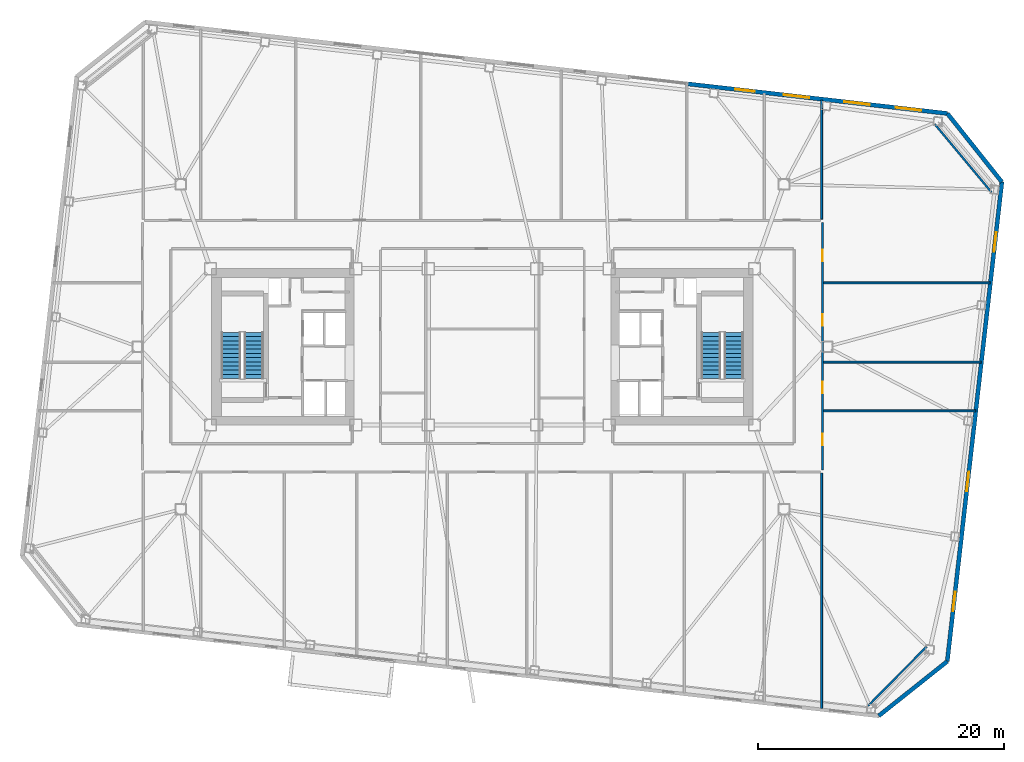
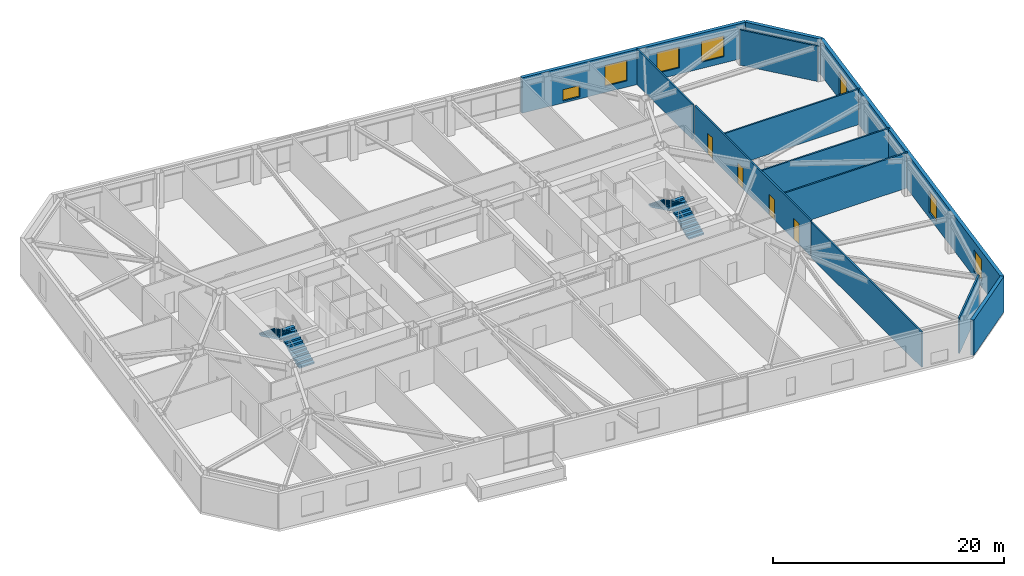
# One storey, part 15 of 20: 12 walls, 7 windows, 4 doors, 4 stair flights, 11 openings, 2 elements without a shape of their own.
"""IFC4 building model written with IfcOpenShell, lengths in metres."""

from ifc_helpers import new_model, si_unit, direction, frame, frame_2d, origin, place, context, subcontext, project, spatial, polyline, rectangle, outline, extrude, material, layer, layer_set, type_object, element, fill, aggregate, save


model = new_model("IFC4")

# Units and contexts
model_context = context("Model", 3, precision=1e-05, world=origin(), true_north=direction((0.0, 1.0)))
body_context = subcontext(model_context, "Body", "Model", "MODEL_VIEW")
ifc_project = project(units=[si_unit("LENGTHUNIT", "METRE"), si_unit("AREAUNIT", "SQUARE_METRE"), si_unit("VOLUMEUNIT", "CUBIC_METRE"), si_unit("PLANEANGLEUNIT", "RADIAN"), si_unit("MASSUNIT", "GRAM", prefix="KILO")], contexts=[model_context])

# Site, building, storey
site_placement = place(None, origin())
site = spatial("IfcSite", under=ifc_project, at=site_placement, CompositionType="ELEMENT")
building_placement = place(site_placement, origin())
building = spatial("IfcBuilding", under=site, at=building_placement, Name="Tavrogorsk Clinical Tower", CompositionType="ELEMENT")
storey_placement = place(building_placement, frame((0.0, 0.0, 105.39990234375)))
storey = spatial("IfcBuildingStorey", under=building, at=storey_placement, Name="L23", CompositionType="ELEMENT", Elevation=105.39990234375)

# Walls
ifc_material_1 = material(Name="Lightweight concrete blockwork B15", Category="masonry")
ifc_layer_1 = layer(ifc_material_1, 0.159912109375)
ifc_layer_set_1 = layer_set([ifc_layer_1], Name="Lightweight concrete blockwork B15")
wall_type_1 = type_object("IfcWallType", Name="PartitionWall_160", PredefinedType="PARTITIONING", material=ifc_layer_set_1)
wall_1_placement = place(storey_placement, frame((31.34130859375, -29.162109375, 0.0), z_axis=(0.0, 0.0, 1.0), x_axis=(0.702905898933, 0.711282853192, 0.0)))
element("IfcWall", 1, at=wall_1_placement, inside=storey, type_object=wall_type_1, Name="L23 Corner Exoskeleton Brace Furring Wall 1", PredefinedType="PARTITIONING", context=body_context, shape_type="SweptSolid", body=[
    extrude(rectangle(XDim=6.761474609375, YDim=0.159912109375, at=frame_2d((3.380859375, 0.0))), origin(), (0.0, 0.0, 1.0), 3.739990234375),
])
wall_2_placement = place(storey_placement, frame((41.36083984375, 12.555908203125, 0.0), z_axis=(0.0, 0.0, 1.0), x_axis=(-0.640217638562, 0.768193579298, 0.0)))
element("IfcWall", 2, at=wall_2_placement, inside=storey, type_object=wall_type_1, Name="L23 Corner Exoskeleton Brace Furring Wall 2", PredefinedType="PARTITIONING", context=body_context, shape_type="SweptSolid", body=[
    extrude(rectangle(XDim=7.224365234375, YDim=0.159912109375, at=frame_2d((3.6123046875, 0.0))), origin(), (0.0, 0.0, 1.0), 3.739990234375),
])

# Wall, openings, doors
wall_3_placement = place(storey_placement, frame((27.6298828125, 10.114990234375, 0.0), z_axis=(0.0, 0.0, 1.0), x_axis=(0.0, -1.0, 0.0)))
wall_3 = element("IfcWall", 3, at=wall_3_placement, inside=storey, type_object=wall_type_1, Name="L23 Corridor Partition 03", PredefinedType="PARTITIONING", context=body_context, shape_type="SweptSolid", body=[
    extrude(rectangle(XDim=20.1298828125, YDim=0.159912109375, at=frame_2d((10.06494140625, 0.0))), origin(), (0.0, 0.0, 1.0), 3.739990234375),
])
opening_1_placement = place(wall_3_placement, frame((17.180908203125, 0.0, 0.0)))
opening_1 = element("IfcOpeningElement", 4, at=opening_1_placement, cuts=wall_3, Name="Opening ID-02", PredefinedType="OPENING", context=body_context, shape_type="SweptSolid", body=[
    extrude(rectangle(XDim=0.949951171875, YDim=2.199951171875, at=frame_2d((0.47509765625, 1.10009765625))), frame((0.0, 0.08984375, 0.0), z_axis=(0.0, -1.0, 0.0), x_axis=(1.0, 0.0, 0.0)), (0.0, 0.0, 1.0), 0.179931640625),
])
opening_2_placement = place(wall_3_placement, frame((12.949951171875, 0.0, 0.0)))
opening_2 = element("IfcOpeningElement", 5, at=opening_2_placement, cuts=wall_3, Name="Opening ID-02", PredefinedType="OPENING", context=body_context, shape_type="SweptSolid", body=[
    extrude(rectangle(XDim=0.949951171875, YDim=2.199951171875, at=frame_2d((0.47509765625, 1.10009765625))), frame((0.0, 0.08984375, 0.0), z_axis=(0.0, -1.0, 0.0), x_axis=(1.0, 0.0, 0.0)), (0.0, 0.0, 1.0), 0.179931640625),
])
opening_3_placement = place(wall_3_placement, frame((7.449951171875, 0.0, 0.0)))
opening_3 = element("IfcOpeningElement", 6, at=opening_3_placement, cuts=wall_3, Name="Opening ID-02", PredefinedType="OPENING", context=body_context, shape_type="SweptSolid", body=[
    extrude(rectangle(XDim=0.949951171875, YDim=2.199951171875, at=frame_2d((0.47509765625, 1.10009765625))), frame((0.0, 0.08984375, 0.0), z_axis=(0.0, -1.0, 0.0), x_axis=(1.0, 0.0, 0.0)), (0.0, 0.0, 1.0), 0.179931640625),
])
opening_4_placement = place(wall_3_placement, frame((2.218994140625, 0.0, 0.0)))
opening_4 = element("IfcOpeningElement", 7, at=opening_4_placement, cuts=wall_3, Name="Opening ID-02", PredefinedType="OPENING", context=body_context, shape_type="SweptSolid", body=[
    extrude(rectangle(XDim=0.949951171875, YDim=2.199951171875, at=frame_2d((0.47509765625, 1.10009765625))), frame((0.0, 0.08984375, 0.0), z_axis=(0.0, -1.0, 0.0), x_axis=(1.0, 0.0, 0.0)), (0.0, 0.0, 1.0), 0.179931640625),
])
ifc_material_2 = material(Name="Laminated timber leaf on aluminium frame", Category="wood")
door_type = type_object("IfcDoorType", Name="InteriorDoor_ID02_950", OperationType="NOTDEFINED", PredefinedType="DOOR", material=ifc_material_2)
door_1_placement = place(opening_1_placement, origin())
door_1 = element("IfcDoor", 8, at=door_1_placement, inside=storey, type_object=door_type, Name="L23 E Senior Clinician Suite 1 Door", OperationType="SINGLE_SWING_LEFT", OverallHeight=2.199951171875, OverallWidth=0.949951171875, PredefinedType="DOOR", context=body_context, shape_type="SweptSolid", body=[
    extrude(rectangle(XDim=0.949951171875, YDim=2.199951171875, at=frame_2d((0.47509765625, 1.10009765625))), frame((0.0, 0.02490234375, 0.0), z_axis=(0.0, -1.0, 0.0), x_axis=(1.0, 0.0, 0.0)), (0.0, 0.0, 1.0), 0.050048828125),
])
fill(opening_1, door_1)
door_2_placement = place(opening_2_placement, origin())
door_2 = element("IfcDoor", 9, at=door_2_placement, inside=storey, type_object=door_type, Name="L23 E Multidisciplinary Seminar Suite 2 Door", OperationType="SINGLE_SWING_RIGHT", OverallHeight=2.199951171875, OverallWidth=0.949951171875, PredefinedType="DOOR", context=body_context, shape_type="SweptSolid", body=[
    extrude(rectangle(XDim=0.949951171875, YDim=2.199951171875, at=frame_2d((0.47509765625, 1.10009765625))), frame((0.0, 0.02490234375, 0.0), z_axis=(0.0, -1.0, 0.0), x_axis=(1.0, 0.0, 0.0)), (0.0, 0.0, 1.0), 0.050048828125),
])
fill(opening_2, door_2)
door_3_placement = place(opening_3_placement, origin())
door_3 = element("IfcDoor", 10, at=door_3_placement, inside=storey, type_object=door_type, Name="L23 E Specialist Consultation Room 3 Door", OperationType="SINGLE_SWING_LEFT", OverallHeight=2.199951171875, OverallWidth=0.949951171875, PredefinedType="DOOR", context=body_context, shape_type="SweptSolid", body=[
    extrude(rectangle(XDim=0.949951171875, YDim=2.199951171875, at=frame_2d((0.47509765625, 1.10009765625))), frame((0.0, 0.02490234375, 0.0), z_axis=(0.0, -1.0, 0.0), x_axis=(1.0, 0.0, 0.0)), (0.0, 0.0, 1.0), 0.050048828125),
])
fill(opening_3, door_3)
door_4_placement = place(opening_4_placement, origin())
door_4 = element("IfcDoor", 11, at=door_4_placement, inside=storey, type_object=door_type, Name="L23 E Clinical Fellows' Study 4 Door", OperationType="SINGLE_SWING_RIGHT", OverallHeight=2.199951171875, OverallWidth=0.949951171875, PredefinedType="DOOR", context=body_context, shape_type="SweptSolid", body=[
    extrude(rectangle(XDim=0.949951171875, YDim=2.199951171875, at=frame_2d((0.47509765625, 1.10009765625))), frame((0.0, 0.02490234375, 0.0), z_axis=(0.0, -1.0, 0.0), x_axis=(1.0, 0.0, 0.0)), (0.0, 0.0, 1.0), 0.050048828125),
])
fill(opening_4, door_4)

# Walls
wall_4_placement = place(storey_placement, frame((27.550048828125, 10.364990234375, 0.0), z_axis=(0.0, 0.0, 1.0), x_axis=(0.0, 1.0, 0.0)))
element("IfcWall", 12, at=wall_4_placement, inside=storey, type_object=wall_type_1, Name="L23 NE Wing Closure Partition", PredefinedType="PARTITIONING", context=body_context, shape_type="SweptSolid", body=[
    extrude(rectangle(XDim=9.6884765625, YDim=0.159912109375, at=frame_2d((4.84423828125, 0.0))), origin(), (0.0, 0.0, 1.0), 3.739990234375),
])
wall_5_placement = place(storey_placement, frame((27.550048828125, -29.384521484375, 0.0), z_axis=(0.0, 0.0, 1.0), x_axis=(0.0, 1.0, 0.0)))
element("IfcWall", 13, at=wall_5_placement, inside=storey, type_object=wall_type_1, Name="L23 SE Wing Closure Partition", PredefinedType="PARTITIONING", context=body_context, shape_type="SweptSolid", body=[
    extrude(rectangle(XDim=19.11962890625, YDim=0.159912109375, at=frame_2d((9.559814453125, 0.0))), origin(), (0.0, 0.0, 1.0), 3.739990234375),
])
wall_6_placement = place(storey_placement, frame((27.715087890625, -5.199951171875, 0.0), z_axis=(0.0, 0.0, 1.0), x_axis=(1.0, 0.0, 0.0)))
element("IfcWall", 14, at=wall_6_placement, inside=storey, type_object=wall_type_1, Name="L23 E Wing Divider 1", PredefinedType="PARTITIONING", context=body_context, shape_type="SweptSolid", body=[
    extrude(rectangle(XDim=12.35205078125, YDim=0.159912109375, at=frame_2d((6.176025390625, 0.0))), origin(), (0.0, 0.0, 1.0), 3.739990234375),
])
wall_7_placement = place(storey_placement, frame((27.715087890625, -1.25, 0.0), z_axis=(0.0, 0.0, 1.0), x_axis=(1.0, 0.0, 0.0)))
element("IfcWall", 15, at=wall_7_placement, inside=storey, type_object=wall_type_1, Name="L23 E Wing Divider 2", PredefinedType="PARTITIONING", context=body_context, shape_type="SweptSolid", body=[
    extrude(rectangle(XDim=12.80224609375, YDim=0.159912109375, at=frame_2d((6.401123046875, 0.0))), origin(), (0.0, 0.0, 1.0), 3.739990234375),
])
wall_8_placement = place(storey_placement, frame((27.715087890625, 5.199951171875, 0.0), z_axis=(0.0, 0.0, 1.0), x_axis=(1.0, 0.0, 0.0)))
element("IfcWall", 16, at=wall_8_placement, inside=storey, type_object=wall_type_1, Name="L23 E Wing Divider 3", PredefinedType="PARTITIONING", context=body_context, shape_type="SweptSolid", body=[
    extrude(rectangle(XDim=13.537109375, YDim=0.159912109375, at=frame_2d((6.7685546875, 0.0))), origin(), (0.0, 0.0, 1.0), 3.739990234375),
])

# Wall, openings, windows
ifc_material_3 = material(Name="Precast concrete B45 with limestone cladding", Category="masonry")
ifc_layer_2 = layer(ifc_material_3, 0.340087890625)
ifc_layer_set_2 = layer_set([ifc_layer_2], Name="Precast concrete B45 with limestone cladding")
wall_type_2 = type_object("IfcWallType", Name="PrecastLimestoneWall_340", PredefinedType="STANDARD", material=ifc_layer_set_2)
wall_9_placement = place(storey_placement, frame((37.77734375, 18.95849609375, 0.0), z_axis=(0.0, 0.0, 1.0), x_axis=(-0.993571362037, 0.113207546299, 0.0)))
wall_9 = element("IfcWall", 17, at=wall_9_placement, inside=storey, type_object=wall_type_2, Name="L23 N Limestone Facade Wall 1", PredefinedType="STANDARD", context=body_context, shape_type="SweptSolid", body=[
    extrude(rectangle(XDim=21.222900390625, YDim=0.340087890625, at=frame_2d((10.611328125, 0.0))), origin(), (0.0, 0.0, 1.0), 3.739990234375),
])
opening_5_placement = place(wall_9_placement, frame((15.75634765625, 0.0, 0.219970703125)))
opening_5 = element("IfcOpeningElement", 18, at=opening_5_placement, cuts=wall_9, Name="Opening WN-09", PredefinedType="OPENING", context=body_context, shape_type="SweptSolid", body=[
    extrude(rectangle(XDim=1.60009765625, YDim=1.199951171875, at=frame_2d((0.800048828125, 0.60009765625))), frame((0.0, 0.179931640625, 0.0), z_axis=(0.0, -1.0, 0.0), x_axis=(1.0, 0.0, 0.0)), (0.0, 0.0, 1.0), 0.360107421875),
])
opening_6_placement = place(wall_9_placement, frame((11.284912109375, 0.0, 0.669921875)))
opening_6 = element("IfcOpeningElement", 19, at=opening_6_placement, cuts=wall_9, Name="Opening WN-03", PredefinedType="OPENING", context=body_context, shape_type="SweptSolid", body=[
    extrude(rectangle(XDim=2.10009765625, YDim=2.199951171875, at=frame_2d((1.050048828125, 1.10009765625))), frame((0.0, 0.179931640625, 0.0), z_axis=(0.0, -1.0, 0.0), x_axis=(1.0, 0.0, 0.0)), (0.0, 0.0, 1.0), 0.360107421875),
])
opening_7_placement = place(wall_9_placement, frame((6.335693359375, 0.0, 0.669921875)))
opening_7 = element("IfcOpeningElement", 20, at=opening_7_placement, cuts=wall_9, Name="Opening WN-03", PredefinedType="OPENING", context=body_context, shape_type="SweptSolid", body=[
    extrude(rectangle(XDim=2.10009765625, YDim=2.199951171875, at=frame_2d((1.050048828125, 1.10009765625))), frame((0.0, 0.179931640625, 0.0), z_axis=(0.0, -1.0, 0.0), x_axis=(1.0, 0.0, 0.0)), (0.0, 0.0, 1.0), 0.360107421875),
])
opening_8_placement = place(wall_9_placement, frame((2.125244140625, 0.0, 0.669921875)))
opening_8 = element("IfcOpeningElement", 21, at=opening_8_placement, cuts=wall_9, Name="Opening WN-03", PredefinedType="OPENING", context=body_context, shape_type="SweptSolid", body=[
    extrude(rectangle(XDim=2.10009765625, YDim=2.199951171875, at=frame_2d((1.050048828125, 1.10009765625))), frame((0.0, 0.179931640625, 0.0), z_axis=(0.0, -1.0, 0.0), x_axis=(1.0, 0.0, 0.0)), (0.0, 0.0, 1.0), 0.360107421875),
])
ifc_material_4 = material(Name="Thermally broken aluminium frame and triple IGU", Category="aluminium")
window_type_1 = type_object("IfcWindowType", Name="LowHeadTransWin_1600x1200", PartitioningType="DOUBLE_PANEL_VERTICAL", PredefinedType="WINDOW", material=ifc_material_4)
window_1_placement = place(opening_5_placement, origin())
window_1 = element("IfcWindow", 22, at=window_1_placement, inside=storey, type_object=window_type_1, Name="L23 N Chicago Window 07", OverallHeight=1.199951171875, OverallWidth=1.60009765625, PartitioningType="SINGLE_PANEL", PredefinedType="WINDOW", context=body_context, shape_type="SweptSolid", body=[
    extrude(rectangle(XDim=1.60009765625, YDim=1.199951171875, at=frame_2d((0.800048828125, 0.60009765625))), frame((0.0, 0.030029296875, 0.0), z_axis=(0.0, -1.0, 0.0), x_axis=(1.0, 0.0, 0.0)), (0.0, 0.0, 1.0), 0.06005859375),
])
fill(opening_5, window_1)
ifc_material_5 = material(Name="Thermally broken aluminium frame and triple IGU", Category="aluminium")
window_type_2 = type_object("IfcWindowType", Name="PatientTwinWin_2100x2200", PartitioningType="DOUBLE_PANEL_VERTICAL", PredefinedType="WINDOW", material=ifc_material_5)
window_2_placement = place(opening_6_placement, origin())
window_2 = element("IfcWindow", 23, at=window_2_placement, inside=storey, type_object=window_type_2, Name="L23 N Chicago Window 08", OverallHeight=2.199951171875, OverallWidth=2.10009765625, PartitioningType="SINGLE_PANEL", PredefinedType="WINDOW", context=body_context, shape_type="SweptSolid", body=[
    extrude(rectangle(XDim=2.10009765625, YDim=2.199951171875, at=frame_2d((1.050048828125, 1.10009765625))), frame((0.0, 0.030029296875, 0.0), z_axis=(0.0, -1.0, 0.0), x_axis=(1.0, 0.0, 0.0)), (0.0, 0.0, 1.0), 0.06005859375),
])
fill(opening_6, window_2)
window_3_placement = place(opening_7_placement, origin())
window_3 = element("IfcWindow", 24, at=window_3_placement, inside=storey, type_object=window_type_2, Name="L23 N Chicago Window 09", OverallHeight=2.199951171875, OverallWidth=2.10009765625, PartitioningType="SINGLE_PANEL", PredefinedType="WINDOW", context=body_context, shape_type="SweptSolid", body=[
    extrude(rectangle(XDim=2.10009765625, YDim=2.199951171875, at=frame_2d((1.050048828125, 1.10009765625))), frame((0.0, 0.030029296875, 0.0), z_axis=(0.0, -1.0, 0.0), x_axis=(1.0, 0.0, 0.0)), (0.0, 0.0, 1.0), 0.06005859375),
])
fill(opening_7, window_3)
window_4_placement = place(opening_8_placement, origin())
window_4 = element("IfcWindow", 25, at=window_4_placement, inside=storey, type_object=window_type_2, Name="L23 N Chicago Window 10", OverallHeight=2.199951171875, OverallWidth=2.10009765625, PartitioningType="SINGLE_PANEL", PredefinedType="WINDOW", context=body_context, shape_type="SweptSolid", body=[
    extrude(rectangle(XDim=2.10009765625, YDim=2.199951171875, at=frame_2d((1.050048828125, 1.10009765625))), frame((0.0, 0.030029296875, 0.0), z_axis=(0.0, -1.0, 0.0), x_axis=(1.0, 0.0, 0.0)), (0.0, 0.0, 1.0), 0.06005859375),
])
fill(opening_8, window_4)

wall_10_placement = place(storey_placement, frame((37.76806640625, -25.556396484375, 0.0), z_axis=(0.0, 0.0, 1.0), x_axis=(0.113201605824, 0.993572038877, 0.0)))
wall_10 = element("IfcWall", 26, at=wall_10_placement, inside=storey, type_object=wall_type_2, Name="L23 E Pleated Limestone Wing Wall", PredefinedType="STANDARD", context=body_context, shape_type="SweptSolid", body=[
    extrude(rectangle(XDim=39.199951171875, YDim=0.340087890625, at=frame_2d((19.60009765625, 0.0))), origin(), (0.0, 0.0, 1.0), 3.739990234375),
])
opening_9_placement = place(wall_10_placement, frame((4.10009765625, 0.0, 0.580078125)))
opening_9 = element("IfcOpeningElement", 27, at=opening_9_placement, cuts=wall_10, Name="Opening WN-07", PredefinedType="OPENING", context=body_context, shape_type="SweptSolid", body=[
    extrude(rectangle(XDim=1.60009765625, YDim=2.300048828125, at=frame_2d((0.800048828125, 1.14990234375))), frame((0.0, 0.179931640625, 0.0), z_axis=(0.0, -1.0, 0.0), x_axis=(1.0, 0.0, 0.0)), (0.0, 0.0, 1.0), 0.360107421875),
])
opening_10_placement = place(wall_10_placement, frame((13.89990234375, 0.0, 0.580078125)))
opening_10 = element("IfcOpeningElement", 28, at=opening_10_placement, cuts=wall_10, Name="Opening WN-07", PredefinedType="OPENING", context=body_context, shape_type="SweptSolid", body=[
    extrude(rectangle(XDim=1.60009765625, YDim=2.300048828125, at=frame_2d((0.800048828125, 1.14990234375))), frame((0.0, 0.179931640625, 0.0), z_axis=(0.0, -1.0, 0.0), x_axis=(1.0, 0.0, 0.0)), (0.0, 0.0, 1.0), 0.360107421875),
])
opening_11_placement = place(wall_10_placement, frame((33.5, 0.0, 0.580078125)))
opening_11 = element("IfcOpeningElement", 29, at=opening_11_placement, cuts=wall_10, Name="Opening WN-07", PredefinedType="OPENING", context=body_context, shape_type="SweptSolid", body=[
    extrude(rectangle(XDim=1.60009765625, YDim=2.300048828125, at=frame_2d((0.800048828125, 1.14990234375))), frame((0.0, 0.179931640625, 0.0), z_axis=(0.0, -1.0, 0.0), x_axis=(1.0, 0.0, 0.0)), (0.0, 0.0, 1.0), 0.360107421875),
])
ifc_material_6 = material(Name="Thermally broken aluminium frame and triple IGU", Category="aluminium")
window_type_3 = type_object("IfcWindowType", Name="PleatSlotWin_1600x2300", PartitioningType="SINGLE_PANEL", PredefinedType="WINDOW", material=ifc_material_6)
window_5_placement = place(opening_9_placement, origin())
window_5 = element("IfcWindow", 30, at=window_5_placement, inside=storey, type_object=window_type_3, Name="L23 E Pleat Slot Window 1", OverallHeight=2.300048828125, OverallWidth=1.60009765625, PartitioningType="SINGLE_PANEL", PredefinedType="WINDOW", context=body_context, shape_type="SweptSolid", body=[
    extrude(rectangle(XDim=1.60009765625, YDim=2.300048828125, at=frame_2d((0.800048828125, 1.14990234375))), frame((0.0, 0.030029296875, 0.0), z_axis=(0.0, -1.0, 0.0), x_axis=(1.0, 0.0, 0.0)), (0.0, 0.0, 1.0), 0.06005859375),
])
fill(opening_9, window_5)
window_6_placement = place(opening_10_placement, origin())
window_6 = element("IfcWindow", 31, at=window_6_placement, inside=storey, type_object=window_type_3, Name="L23 E Pleat Slot Window 2", OverallHeight=2.300048828125, OverallWidth=1.60009765625, PartitioningType="SINGLE_PANEL", PredefinedType="WINDOW", context=body_context, shape_type="SweptSolid", body=[
    extrude(rectangle(XDim=1.60009765625, YDim=2.300048828125, at=frame_2d((0.800048828125, 1.14990234375))), frame((0.0, 0.030029296875, 0.0), z_axis=(0.0, -1.0, 0.0), x_axis=(1.0, 0.0, 0.0)), (0.0, 0.0, 1.0), 0.06005859375),
])
fill(opening_10, window_6)
window_7_placement = place(opening_11_placement, origin())
window_7 = element("IfcWindow", 32, at=window_7_placement, inside=storey, type_object=window_type_3, Name="L23 E Pleat Slot Window 4", OverallHeight=2.300048828125, OverallWidth=1.60009765625, PartitioningType="SINGLE_PANEL", PredefinedType="WINDOW", context=body_context, shape_type="SweptSolid", body=[
    extrude(rectangle(XDim=1.60009765625, YDim=2.300048828125, at=frame_2d((0.800048828125, 1.14990234375))), frame((0.0, 0.030029296875, 0.0), z_axis=(0.0, -1.0, 0.0), x_axis=(1.0, 0.0, 0.0)), (0.0, 0.0, 1.0), 0.06005859375),
])
fill(opening_11, window_7)

# Walls
wall_11_placement = place(storey_placement, frame((32.200927734375, -29.984619140625, 0.0), z_axis=(0.0, 0.0, 1.0), x_axis=(0.78261359446, 0.622507800567, 0.0)))
element("IfcWall", 33, at=wall_11_placement, inside=storey, type_object=wall_type_2, Name="L23 Chamfered Corner Wall 1", PredefinedType="STANDARD", context=body_context, shape_type="SweptSolid", body=[
    extrude(rectangle(XDim=7.113525390625, YDim=0.340087890625, at=frame_2d((3.556640625, 0.0))), origin(), (0.0, 0.0, 1.0), 3.739990234375),
])
wall_12_placement = place(storey_placement, frame((42.20556640625, 13.3916015625, 0.0), z_axis=(0.0, 0.0, 1.0), x_axis=(-0.622524521309, 0.782600294128, 0.0)))
element("IfcWall", 34, at=wall_12_placement, inside=storey, type_object=wall_type_2, Name="L23 Chamfered Corner Wall 2", PredefinedType="STANDARD", context=body_context, shape_type="SweptSolid", body=[
    extrude(rectangle(XDim=7.11328125, YDim=0.340087890625, at=frame_2d((3.556640625, 0.0))), origin(), (0.0, 0.0, 1.0), 3.739990234375),
])

# Stair, stair flights
ifc_material_7 = material(Name="Concrete B60", Category="concrete")
stair_type = type_object("IfcStairType", Name="CoreStairAssembly", PredefinedType="HALF_TURN_STAIR", material=ifc_material_7)
stair_1_placement = place(storey_placement, origin())
stair_1 = element("IfcStair", 35, at=stair_1_placement, inside=storey, type_object=stair_type, Name="L23 ST-W", PredefinedType="HALF_TURN_STAIR")
ifc_material_8 = material(Name="Concrete B60", Category="concrete")
stair_flight_type = type_object("IfcStairFlightType", Name="CoreStairFlight", PredefinedType="STRAIGHT", material=ifc_material_8)
stair_flight_1_placement = place(storey_placement, frame((-18.574951171875, -2.574951171875, 0.0), z_axis=(0.0, 0.0, 1.0), x_axis=(0.0, 1.0, 0.0)))
stair_flight_1 = element("IfcStairFlight", 36, at=stair_flight_1_placement, type_object=stair_flight_type, Name="ST-W flight 1", NumberOfRisers=12, NumberOfTreads=11, PredefinedType="STRAIGHT", RiserHeight=0.166666667, TreadLength=0.34, context=body_context, shape_type="SweptSolid", body=[
    extrude(outline(polyline([(0.0, 0.0), (0.0, 0.166748046875), (0.340087890625, 0.166748046875), (0.340087890625, 0.333251953125), (0.679931640625, 0.333251953125), (0.679931640625, 0.5), (1.02001953125, 0.5), (1.02001953125, 0.666748046875), (1.360107421875, 0.666748046875), (1.360107421875, 0.833251953125), (1.699951171875, 0.833251953125), (1.699951171875, 1.0), (2.0400390625, 1.0), (2.0400390625, 1.166748046875), (2.3798828125, 1.166748046875), (2.3798828125, 1.333251953125), (2.719970703125, 1.333251953125), (2.719970703125, 1.5), (3.06005859375, 1.5), (3.06005859375, 1.666748046875), (3.39990234375, 1.666748046875), (3.39990234375, 1.833251953125), (3.739990234375, 1.833251953125), (3.739990234375, 2.0), (3.739990234375, 1.66650390625), (0.340576171875, 0.0), (0.0, 0.0)])), frame((0.0, 0.77490234375, 0.0), z_axis=(0.0, -1.0, 0.0), x_axis=(1.0, 0.0, 0.0)), (0.0, 0.0, 1.0), 1.550048828125),
])
stair_flight_2_placement = place(storey_placement, frame((-20.425048828125, 1.1650390625, 2.0), z_axis=(0.0, 0.0, 1.0), x_axis=(0.0, -1.0, 0.0)))
stair_flight_2 = element("IfcStairFlight", 37, at=stair_flight_2_placement, type_object=stair_flight_type, Name="ST-W flight 2", NumberOfRisers=12, NumberOfTreads=11, PredefinedType="STRAIGHT", RiserHeight=0.166666667, TreadLength=0.34, context=body_context, shape_type="SweptSolid", body=[
    extrude(outline(polyline([(0.0, 0.0), (0.0, 0.166748046875), (0.340087890625, 0.166748046875), (0.340087890625, 0.333251953125), (0.679931640625, 0.333251953125), (0.679931640625, 0.5), (1.02001953125, 0.5), (1.02001953125, 0.666748046875), (1.360107421875, 0.666748046875), (1.360107421875, 0.833251953125), (1.699951171875, 0.833251953125), (1.699951171875, 1.0), (2.0400390625, 1.0), (2.0400390625, 1.166748046875), (2.3798828125, 1.166748046875), (2.3798828125, 1.333251953125), (2.719970703125, 1.333251953125), (2.719970703125, 1.5), (3.06005859375, 1.5), (3.06005859375, 1.666748046875), (3.39990234375, 1.666748046875), (3.39990234375, 1.833251953125), (3.739990234375, 1.833251953125), (3.739990234375, 2.0), (3.739990234375, 1.66650390625), (0.340576171875, 0.0), (0.0, 0.0)])), frame((0.0, 0.77490234375, 0.0), z_axis=(0.0, -1.0, 0.0), x_axis=(1.0, 0.0, 0.0)), (0.0, 0.0, 1.0), 1.550048828125),
])
aggregate(stair_1, [stair_flight_1, stair_flight_2])

stair_2_placement = place(storey_placement, origin())
stair_2 = element("IfcStair", 38, at=stair_2_placement, inside=storey, type_object=stair_type, Name="L23 ST-E", PredefinedType="HALF_TURN_STAIR")
stair_flight_3_placement = place(storey_placement, frame((20.425048828125, -2.574951171875, 0.0), z_axis=(0.0, 0.0, 1.0), x_axis=(0.0, 1.0, 0.0)))
stair_flight_3 = element("IfcStairFlight", 39, at=stair_flight_3_placement, type_object=stair_flight_type, Name="ST-E flight 1", NumberOfRisers=12, NumberOfTreads=11, PredefinedType="STRAIGHT", RiserHeight=0.166666667, TreadLength=0.34, context=body_context, shape_type="SweptSolid", body=[
    extrude(outline(polyline([(0.0, 0.0), (0.0, 0.166748046875), (0.340087890625, 0.166748046875), (0.340087890625, 0.333251953125), (0.679931640625, 0.333251953125), (0.679931640625, 0.5), (1.02001953125, 0.5), (1.02001953125, 0.666748046875), (1.360107421875, 0.666748046875), (1.360107421875, 0.833251953125), (1.699951171875, 0.833251953125), (1.699951171875, 1.0), (2.0400390625, 1.0), (2.0400390625, 1.166748046875), (2.3798828125, 1.166748046875), (2.3798828125, 1.333251953125), (2.719970703125, 1.333251953125), (2.719970703125, 1.5), (3.06005859375, 1.5), (3.06005859375, 1.666748046875), (3.39990234375, 1.666748046875), (3.39990234375, 1.833251953125), (3.739990234375, 1.833251953125), (3.739990234375, 2.0), (3.739990234375, 1.66650390625), (0.340576171875, 0.0), (0.0, 0.0)])), frame((0.0, 0.77490234375, 0.0), z_axis=(0.0, -1.0, 0.0), x_axis=(1.0, 0.0, 0.0)), (0.0, 0.0, 1.0), 1.550048828125),
])
stair_flight_4_placement = place(storey_placement, frame((18.574951171875, 1.1650390625, 2.0), z_axis=(0.0, 0.0, 1.0), x_axis=(0.0, -1.0, 0.0)))
stair_flight_4 = element("IfcStairFlight", 40, at=stair_flight_4_placement, type_object=stair_flight_type, Name="ST-E flight 2", NumberOfRisers=12, NumberOfTreads=11, PredefinedType="STRAIGHT", RiserHeight=0.166666667, TreadLength=0.34, context=body_context, shape_type="SweptSolid", body=[
    extrude(outline(polyline([(0.0, 0.0), (0.0, 0.166748046875), (0.340087890625, 0.166748046875), (0.340087890625, 0.333251953125), (0.679931640625, 0.333251953125), (0.679931640625, 0.5), (1.02001953125, 0.5), (1.02001953125, 0.666748046875), (1.360107421875, 0.666748046875), (1.360107421875, 0.833251953125), (1.699951171875, 0.833251953125), (1.699951171875, 1.0), (2.0400390625, 1.0), (2.0400390625, 1.166748046875), (2.3798828125, 1.166748046875), (2.3798828125, 1.333251953125), (2.719970703125, 1.333251953125), (2.719970703125, 1.5), (3.06005859375, 1.5), (3.06005859375, 1.666748046875), (3.39990234375, 1.666748046875), (3.39990234375, 1.833251953125), (3.739990234375, 1.833251953125), (3.739990234375, 2.0), (3.739990234375, 1.66650390625), (0.340576171875, 0.0), (0.0, 0.0)])), frame((0.0, 0.77490234375, 0.0), z_axis=(0.0, -1.0, 0.0), x_axis=(1.0, 0.0, 0.0)), (0.0, 0.0, 1.0), 1.550048828125),
])
aggregate(stair_2, [stair_flight_3, stair_flight_4])

save(model, "model.ifc")
